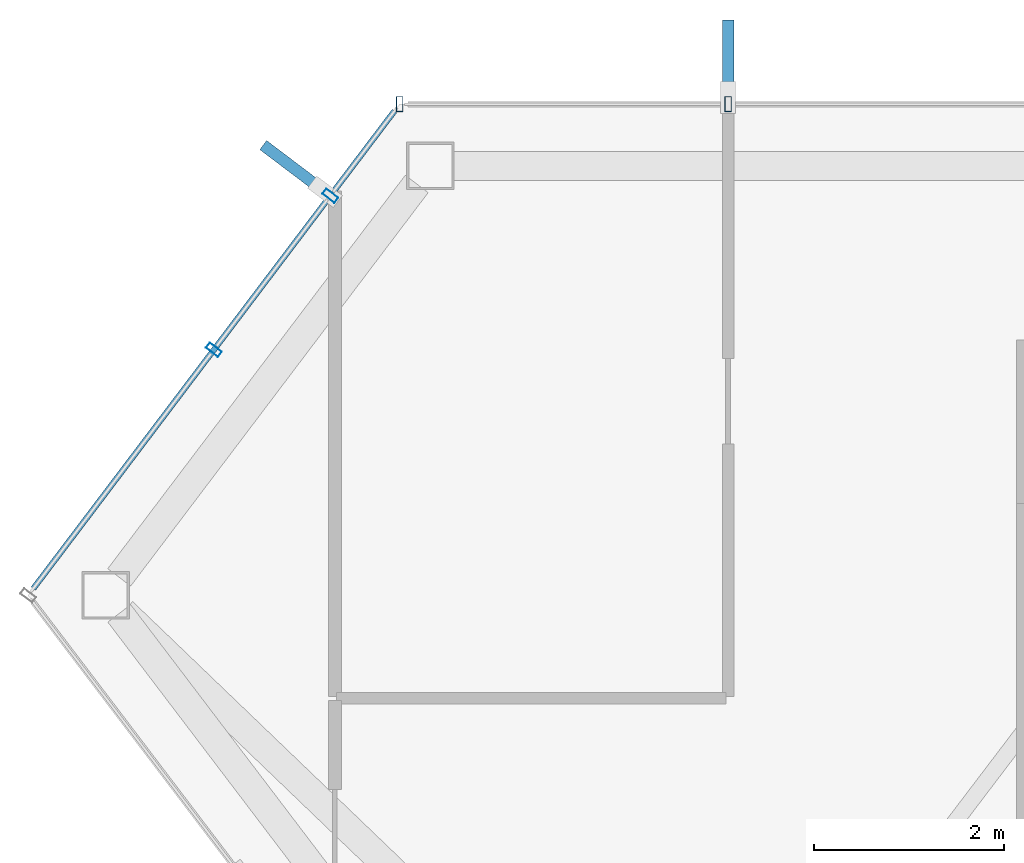
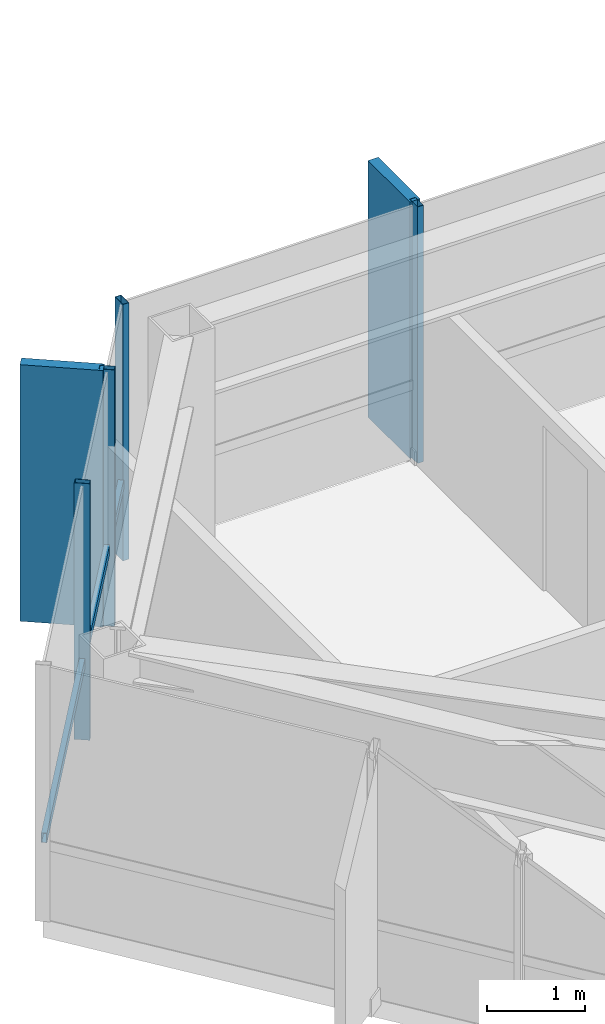
# One storey, part 10 of 24: 7 members, 2 elements without a shape of their own.
"""IFC4 building model written with IfcOpenShell, lengths in metres."""

from ifc_helpers import new_model, si_unit, direction, frame, origin, origin_2d, place, context, subcontext, project, spatial, rectangle, hollow_rectangle, extrude, material, layer, layer_set, material_profile, profile_set, type_object, element, aggregate, save


model = new_model("IFC4")

# Units and contexts
model_context = context("Model", 3, precision=1e-05, world=origin(), true_north=direction((0.0, 1.0)))
body_context = subcontext(model_context, "Body", "Model", "MODEL_VIEW")
ifc_project = project(units=[si_unit("LENGTHUNIT", "METRE"), si_unit("AREAUNIT", "SQUARE_METRE"), si_unit("VOLUMEUNIT", "CUBIC_METRE"), si_unit("PLANEANGLEUNIT", "RADIAN"), si_unit("MASSUNIT", "GRAM", prefix="KILO")], contexts=[model_context])

# Site, building, storey
site_placement = place(None, origin())
site = spatial("IfcSite", under=ifc_project, at=site_placement, CompositionType="ELEMENT")
building_placement = place(site_placement, origin())
building = spatial("IfcBuilding", under=site, at=building_placement, Name="Zarrinselat Tower", CompositionType="ELEMENT")
storey_placement = place(building_placement, frame((0.0, 0.0, 268.60009765625)))
storey = spatial("IfcBuildingStorey", under=building, at=storey_placement, Name="L68", CompositionType="ELEMENT", Elevation=268.60009765625)

# Curtain wall, members
ifc_material_1 = material(Name="Extruded Aluminium Alloy EN AW-6063 T6", Category="aluminium")
ifc_layer = layer(ifc_material_1, 0.169921875)
ifc_layer_set = layer_set([ifc_layer], Name="Extruded Aluminium Alloy EN AW-6063 T6")
curtain_wall_type = type_object("IfcCurtainWallType", Name="CWS-RES", PredefinedType="NOTDEFINED", material=ifc_layer_set)
curtain_wall_1_placement = place(storey_placement, origin())
curtain_wall_1 = element("IfcCurtainWall", 1, at=curtain_wall_1_placement, inside=storey, type_object=curtain_wall_type, Name="L68 Unitised Curtain Wall CW-L68-E01", PredefinedType="NOTDEFINED")
ifc_material_2 = material(Name="Extruded Aluminium Alloy EN AW-6063 T6", Category="aluminium")
ifc_material_profile_1 = material_profile(ifc_material_2, hollow_rectangle(XDim=0.070068359375, YDim=0.159912109375, WallThickness=0.00390625, at=origin_2d()), Name="RHS 160x70x4")
ifc_profile_set_1 = profile_set([ifc_material_profile_1], Name="Extruded Aluminium Alloy EN AW-6063 T6")
member_type_1 = type_object("IfcMemberType", Name="MEM-CW-MUL2", PredefinedType="MULLION", material=ifc_profile_set_1)
member_1_placement = place(storey_placement, frame((23.439208984375, 47.75, 0.0), z_axis=(0.0, 0.0, 1.0), x_axis=(-1.0, 0.0, 0.0)))
member_1 = element("IfcMember", 2, at=member_1_placement, type_object=member_type_1, Name="CW-L68-E01 Mullion 11", PredefinedType="MULLION", context=body_context, shape_type="SweptSolid", body=[
    extrude(hollow_rectangle(XDim=0.070068359375, YDim=0.159912109375, WallThickness=0.00390625, at=origin_2d()), origin(), (0.0, 0.0, 1.0), 3.179931640625),
])
member_2_placement = place(storey_placement, frame((19.98388671875, 47.75, 0.0), z_axis=(0.0, 0.0, 1.0), x_axis=(-1.0, 0.0, 0.0)))
member_2 = element("IfcMember", 3, at=member_2_placement, type_object=member_type_1, Name="CW-L68-E01 Mullion 12", PredefinedType="MULLION", context=body_context, shape_type="SweptSolid", body=[
    extrude(hollow_rectangle(XDim=0.070068359375, YDim=0.159912109375, WallThickness=0.00390625, at=origin_2d()), origin(), (0.0, 0.0, 1.0), 3.179931640625),
])

curtain_wall_2_placement = place(storey_placement, origin())
curtain_wall_2 = element("IfcCurtainWall", 4, at=curtain_wall_2_placement, inside=storey, type_object=curtain_wall_type, Name="L68 Unitised Curtain Wall CW-L68-E02", PredefinedType="NOTDEFINED")
member_3_placement = place(storey_placement, frame((19.25439453125, 46.78564453125, 0.0), z_axis=(0.0, 0.0, 1.0), x_axis=(-0.603180355329, -0.797604826305, 0.0)))
member_3 = element("IfcMember", 5, at=member_3_placement, type_object=member_type_1, Name="CW-L68-E02 Mullion 1", PredefinedType="MULLION", context=body_context, shape_type="SweptSolid", body=[
    extrude(hollow_rectangle(XDim=0.070068359375, YDim=0.159912109375, WallThickness=0.00390625, at=origin_2d()), origin(), (0.0, 0.0, 1.0), 3.179931640625),
])
member_4_placement = place(storey_placement, frame((18.029296875, 45.165771484375, 0.0), z_axis=(0.0, 0.0, 1.0), x_axis=(-0.603180355329, -0.797604826305, 0.0)))
member_4 = element("IfcMember", 6, at=member_4_placement, type_object=member_type_1, Name="CW-L68-E02 Mullion 2", PredefinedType="MULLION", context=body_context, shape_type="SweptSolid", body=[
    extrude(hollow_rectangle(XDim=0.070068359375, YDim=0.159912109375, WallThickness=0.00390625, at=origin_2d()), origin(), (0.0, 0.0, 1.0), 3.179931640625),
])
ifc_material_3 = material(Name="Extruded Aluminium Alloy EN AW-6063 T6", Category="aluminium")
ifc_material_profile_2 = material_profile(ifc_material_3, hollow_rectangle(XDim=0.06005859375, YDim=0.1201171875, WallThickness=0.00390625, at=origin_2d()), Name="RHS 120x60x4")
ifc_profile_set_2 = profile_set([ifc_material_profile_2], Name="Extruded Aluminium Alloy EN AW-6063 T6")
member_type_2 = type_object("IfcMemberType", Name="MEM-CW-TRN2", PredefinedType="USERDEFINED", material=ifc_profile_set_2)
member_5_placement = place(storey_placement, frame((19.929443359375, 47.67822265625, 0.949951171875), z_axis=(-0.603182242271, -0.797603399321, 0.0), x_axis=(0.797603399321, -0.603182242271, 0.0)))
member_5 = element("IfcMember", 7, at=member_5_placement, type_object=member_type_2, Name="CW-L68-E02 Transom 1", ObjectType="TRANSOM", PredefinedType="USERDEFINED", context=body_context, shape_type="SweptSolid", body=[
    extrude(hollow_rectangle(XDim=0.06005859375, YDim=0.1201171875, WallThickness=0.00390625, at=origin_2d()), origin(), (0.0, 0.0, 1.0), 6.300048828125),
])

# Member
ifc_material_4 = material(Name="Honed Cream Travertine Stone", Category="masonry")
ifc_material_profile_3 = material_profile(ifc_material_4, rectangle(XDim=0.1201171875, YDim=0.85009765625, at=origin_2d()), Name="FIN 850x120")
ifc_profile_set_3 = profile_set([ifc_material_profile_3], Name="Honed Cream Travertine Stone")
member_type_3 = type_object("IfcMemberType", Name="MEM-STONE-FIN", PredefinedType="USERDEFINED", material=ifc_profile_set_3)
member_6_placement = place(storey_placement, frame((23.439208984375, 48.2099609375, 0.0), z_axis=(0.0, 0.0, 1.0), x_axis=(1.0, 0.0, 0.0)))
member_6 = element("IfcMember", 8, at=member_6_placement, type_object=member_type_3, Name="L68 Stone Shading Fin CW-L68-E01-11", ObjectType="FIN", PredefinedType="USERDEFINED", context=body_context, shape_type="SweptSolid", body=[
    extrude(rectangle(XDim=0.1201171875, YDim=0.85009765625, at=origin_2d()), origin(), (0.0, 0.0, 1.0), 3.179931640625),
])

aggregate(curtain_wall_1, [member_1, member_6, member_2])

member_7_placement = place(storey_placement, frame((18.8876953125, 47.06298828125, 0.0), z_axis=(0.0, 0.0, 1.0), x_axis=(0.603180355329, 0.797604826305, 0.0)))
member_7 = element("IfcMember", 9, at=member_7_placement, type_object=member_type_3, Name="L68 Stone Shading Fin CW-L68-E02-01", ObjectType="FIN", PredefinedType="USERDEFINED", context=body_context, shape_type="SweptSolid", body=[
    extrude(rectangle(XDim=0.1201171875, YDim=0.85009765625, at=origin_2d()), origin(), (0.0, 0.0, 1.0), 3.179931640625),
])

aggregate(curtain_wall_2, [member_3, member_7, member_4, member_5])

save(model, "model.ifc")
